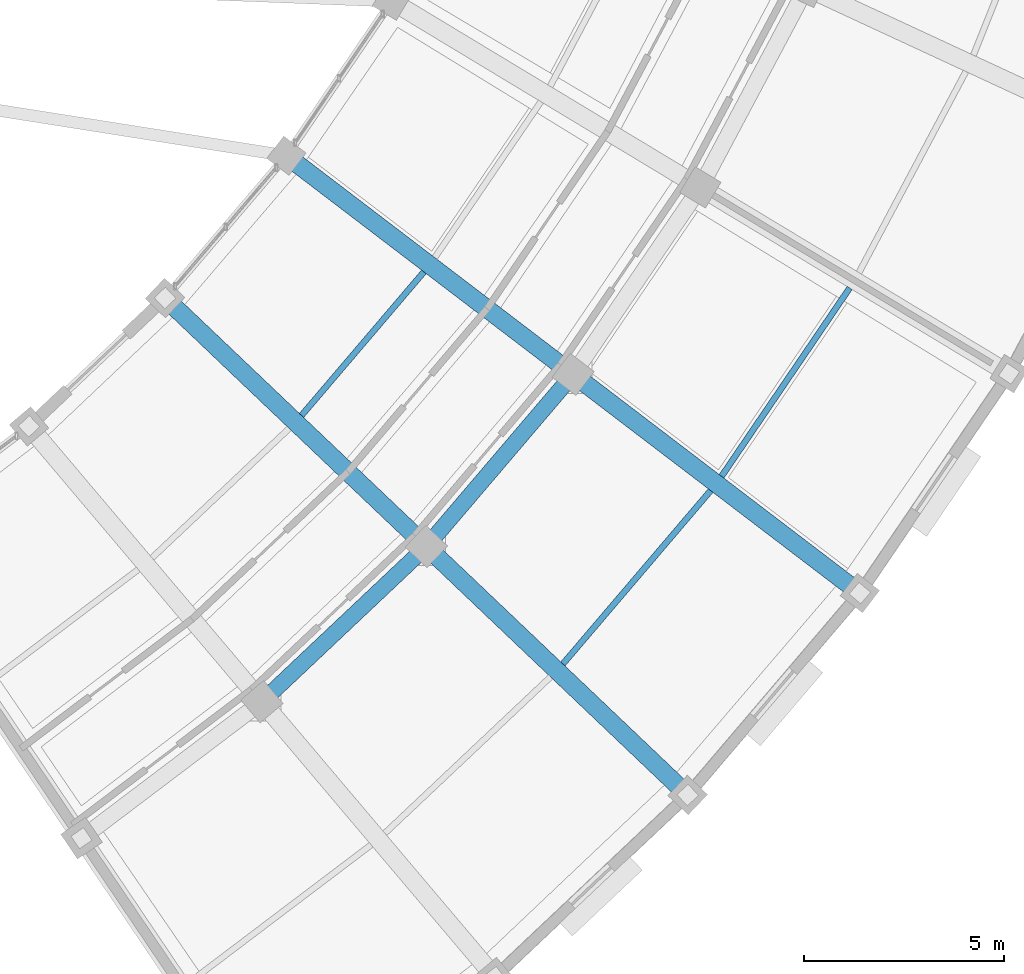
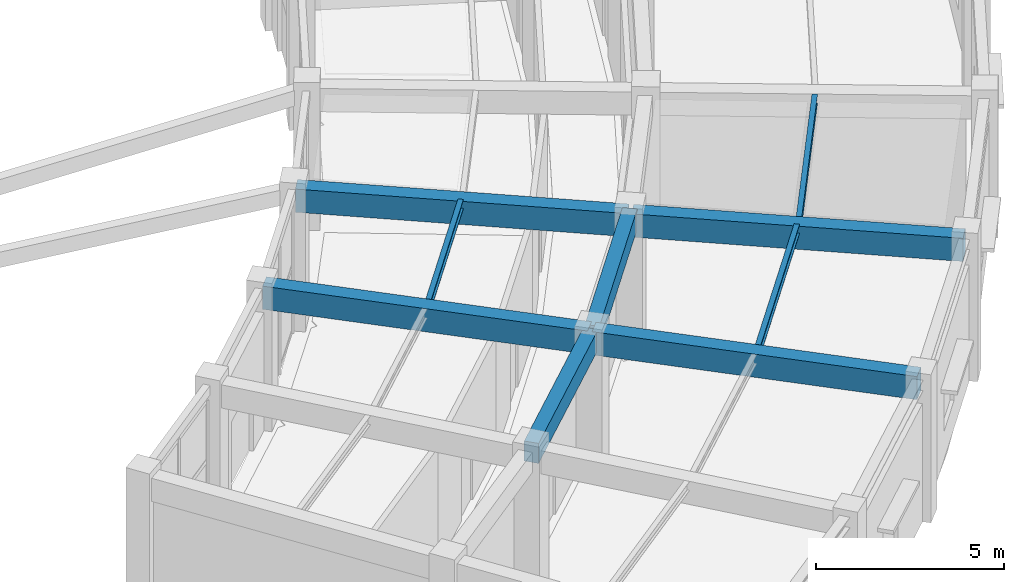
# One storey, part 62 of 108: 9 beams.
"""IFC4 building model written with IfcOpenShell, lengths in metres."""

from ifc_helpers import new_model, si_unit, direction, frame, origin, origin_2d, place, context, subcontext, project, spatial, rectangle, i_section, extrude, material, material_profile, profile_set, type_object, element, save


model = new_model("IFC4")

# Units and contexts
model_context = context("Model", 3, precision=1e-05, world=origin(), true_north=direction((0.0, 1.0)))
body_context = subcontext(model_context, "Body", "Model", "MODEL_VIEW")
ifc_project = project(units=[si_unit("LENGTHUNIT", "METRE"), si_unit("AREAUNIT", "SQUARE_METRE"), si_unit("VOLUMEUNIT", "CUBIC_METRE"), si_unit("PLANEANGLEUNIT", "RADIAN"), si_unit("MASSUNIT", "GRAM", prefix="KILO")], contexts=[model_context])

# Site, building, storey
site_placement = place(None, origin())
site = spatial("IfcSite", under=ifc_project, at=site_placement, CompositionType="ELEMENT")
building_placement = place(site_placement, origin())
building = spatial("IfcBuilding", under=site, at=building_placement, Name="Tarnveldt Headland Concert Hall", CompositionType="ELEMENT")
storey_placement = place(building_placement, origin())
storey = spatial("IfcBuildingStorey", under=building, at=storey_placement, Name="L00", CompositionType="ELEMENT", Elevation=0.0)

# Beams
ifc_material_1 = material(Name="Concrete C40/50", Category="concrete")
ifc_material_profile_1 = material_profile(ifc_material_1, rectangle(XDim=0.39990234375, YDim=0.64990234375, at=origin_2d()), Name="RC 400x650", Category="concrete")
ifc_profile_set_1 = profile_set([ifc_material_profile_1], Name="Concrete C40/50")
beam_type_1 = type_object("IfcBeamType", Name="CB-400x650", PredefinedType="BEAM", material=ifc_profile_set_1)
for number, where, z_axis, x_axis, name in (
    (1, (151.122802734375, 20.3369140625, 4.264892578125), (0.727401560734, 0.686212044081, 0.0), (-0.686212044081, 0.727401560734, 0.0), "Framing beam L00-434"),
    (2, (155.2236328125, 24.214599609375, 4.264892578125), (0.648725364662, 0.761022602322, 0.0), (-0.761022602322, 0.648725364662, 0.0), "Framing beam L00-441"),
):
    element("IfcBeam", number, at=place(storey_placement, frame(where, z_axis=z_axis, x_axis=x_axis)), inside=storey, type_object=beam_type_1, Name=name, PredefinedType="BEAM", context=body_context, shape_type="SweptSolid", body=[
        extrude(rectangle(XDim=0.39990234375, YDim=0.64990234375, at=origin_2d()), origin(), (0.0, 0.0, 1.0), 5.524169921875),
    ])
ifc_material_profile_2 = material_profile(ifc_material_1, rectangle(XDim=0.449951171875, YDim=0.75, at=origin_2d()), Name="RC 450x750", Category="concrete")
ifc_profile_set_2 = profile_set([ifc_material_profile_2], Name="Concrete C40/50")
beam_type_2 = type_object("IfcBeamType", Name="CB-450x750", PredefinedType="BEAM", material=ifc_profile_set_2)
for number, where, z_axis, x_axis, name in (
    (3, (148.705810546875, 30.3291015625, 4.215087890625), (0.724698020854, -0.689066599517, 0.0), (0.689066599517, 0.724698020854, 0.0), "Framing beam L00-438"),
    (4, (155.228271484375, 24.127685546875, 4.215087890625), (0.724698020854, -0.689066599517, 0.0), (0.689066599517, 0.724698020854, 0.0), "Framing beam L00-439"),
):
    element("IfcBeam", number, at=place(storey_placement, frame(where, z_axis=z_axis, x_axis=x_axis)), inside=storey, type_object=beam_type_2, Name=name, PredefinedType="BEAM", context=body_context, shape_type="SweptSolid", body=[
        extrude(rectangle(XDim=0.449951171875, YDim=0.75, at=origin_2d()), origin(), (0.0, 0.0, 1.0), 8.8798828125),
    ])
beam_1_placement = place(storey_placement, frame((151.73779296875, 33.88623046875, 4.14501953125), z_axis=(0.795127420909, -0.6064424, 0.0), x_axis=(0.6064424, 0.795127420909, 0.0)))
element("IfcBeam", 5, at=beam_1_placement, inside=storey, type_object=beam_type_2, Name="Framing beam L00-445", PredefinedType="BEAM", context=body_context, shape_type="SweptSolid", body=[
    extrude(rectangle(XDim=0.449951171875, YDim=0.75, at=origin_2d()), origin(), (0.0, 0.0, 1.0), 8.880126953125),
])
beam_2_placement = place(storey_placement, frame((158.89404296875, 28.427978515625, 4.14501953125), z_axis=(0.795130566959, -0.606438275084, 0.0), x_axis=(0.606438275084, 0.795130566959, 0.0)))
element("IfcBeam", 6, at=beam_2_placement, inside=storey, type_object=beam_type_2, Name="Framing beam L00-446", PredefinedType="BEAM", context=body_context, shape_type="SweptSolid", body=[
    extrude(rectangle(XDim=0.449951171875, YDim=0.75, at=origin_2d()), origin(), (0.0, 0.0, 1.0), 8.879638671875),
])
ifc_material_2 = material(Name="Steel S355", Category="steel")
ifc_material_profile_3 = material_profile(ifc_material_2, i_section(OverallWidth=0.14990234375, OverallDepth=0.300048828125, WebThickness=0.007080078125, FlangeThickness=0.0107421875, FilletRadius=0.014892578125, at=origin_2d()), Name="IPE300", Category="steel")
ifc_profile_set_3 = profile_set([ifc_material_profile_3], Name="Steel S355")
beam_type_3 = type_object("IfcBeamType", Name="SB-IPE300", PredefinedType="JOIST", material=ifc_profile_set_3)
beam_3_placement = place(storey_placement, frame((152.069580078125, 27.44091796875, 4.43994140625), z_axis=(0.648686890774, 0.761055397286, 0.0), x_axis=(-0.761055397286, 0.648686890774, 0.0)))
element("IfcBeam", 7, at=beam_3_placement, inside=storey, type_object=beam_type_3, Name="Framing beam L00-443", PredefinedType="JOIST", context=body_context, shape_type="SweptSolid", body=[
    extrude(i_section(OverallWidth=0.14990234375, OverallDepth=0.300048828125, WebThickness=0.007080078125, FlangeThickness=0.0107421875, FilletRadius=0.014892578125, at=origin_2d()), origin(), (0.0, 0.0, 1.0), 4.7060546875),
])
beam_4_placement = place(storey_placement, frame((158.591796875, 21.239501953125, 4.43994140625), z_axis=(0.64872275513, 0.76102482678, 0.0), x_axis=(-0.76102482678, 0.64872275513, 0.0)))
element("IfcBeam", 8, at=beam_4_placement, inside=storey, type_object=beam_type_3, Name="Framing beam L00-444", PredefinedType="JOIST", context=body_context, shape_type="SweptSolid", body=[
    extrude(i_section(OverallWidth=0.14990234375, OverallDepth=0.300048828125, WebThickness=0.007080078125, FlangeThickness=0.0107421875, FilletRadius=0.014892578125, at=origin_2d()), origin(), (0.0, 0.0, 1.0), 5.682861328125),
])
beam_5_placement = place(storey_placement, frame((162.55078125, 25.92138671875, 4.3701171875), z_axis=(0.562379346424, 0.826879356808, 0.0), x_axis=(-0.826879356808, 0.562379346424, 0.0)))
element("IfcBeam", 9, at=beam_5_placement, inside=storey, type_object=beam_type_3, Name="Framing beam L00-451", PredefinedType="JOIST", context=body_context, shape_type="SweptSolid", body=[
    extrude(i_section(OverallWidth=0.14990234375, OverallDepth=0.300048828125, WebThickness=0.007080078125, FlangeThickness=0.0107421875, FilletRadius=0.014892578125, at=origin_2d()), origin(), (0.0, 0.0, 1.0), 5.68310546875),
])

save(model, "model.ifc")
